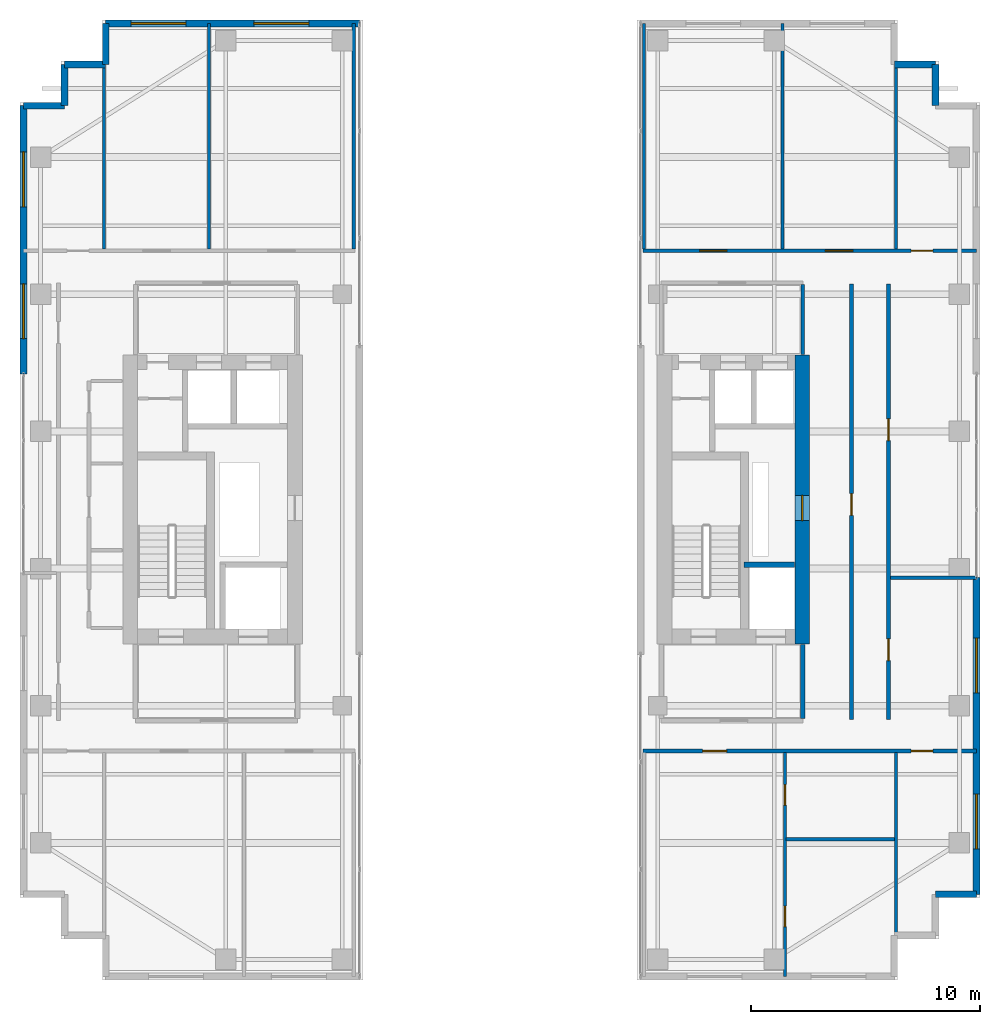
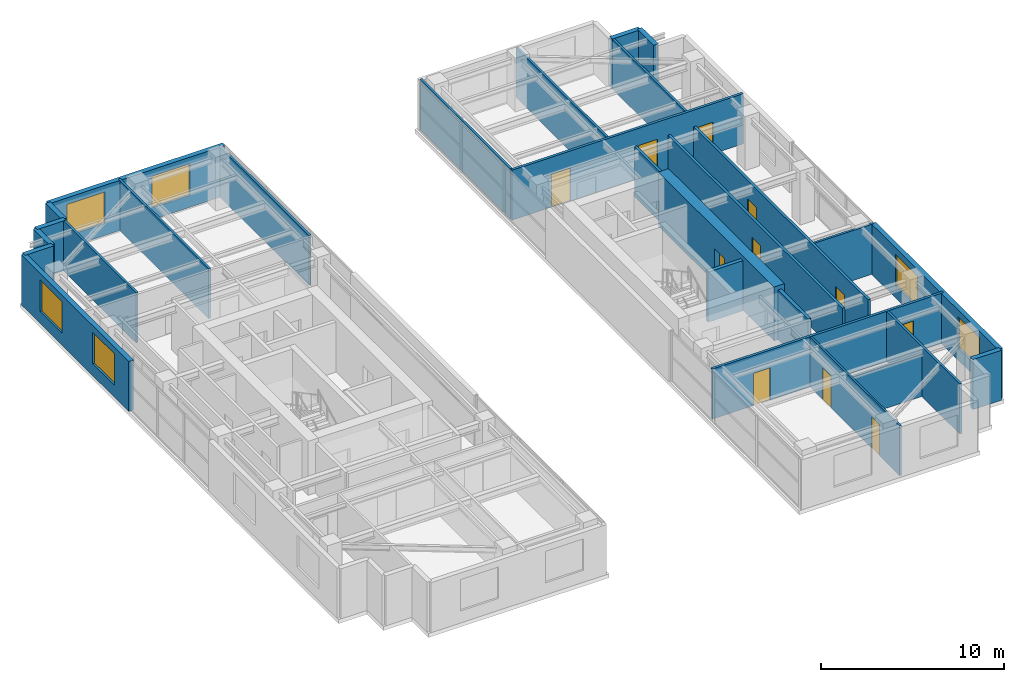
# One storey, part 18 of 21: 28 walls, 11 doors, 6 windows, 17 openings.
"""IFC4 building model written with IfcOpenShell, lengths in metres."""

from ifc_helpers import new_model, si_unit, direction, frame, frame_2d, origin, place, context, subcontext, project, spatial, rectangle, extrude, source, transform, mapped, material, layer, layer_set, type_object, element, fill, save


model = new_model("IFC4")

# Units and contexts
model_context = context("Model", 3, precision=1e-05, world=origin(), true_north=direction((0.0, 1.0)))
body_context = subcontext(model_context, "Body", "Model", "MODEL_VIEW")
ifc_project = project(units=[si_unit("LENGTHUNIT", "METRE"), si_unit("AREAUNIT", "SQUARE_METRE"), si_unit("VOLUMEUNIT", "CUBIC_METRE"), si_unit("PLANEANGLEUNIT", "RADIAN"), si_unit("MASSUNIT", "GRAM", prefix="KILO")], contexts=[model_context])

# Site, building, storey
site_placement = place(None, origin())
site = spatial("IfcSite", under=ifc_project, at=site_placement, CompositionType="ELEMENT")
building_placement = place(site_placement, origin())
building = spatial("IfcBuilding", under=site, at=building_placement, Name="Khoralis Quay Care Tower", CompositionType="ELEMENT")
storey_placement = place(building_placement, frame((0.0, 0.0, 206.10009765625)))
storey = spatial("IfcBuildingStorey", under=building, at=storey_placement, Name="L54", CompositionType="ELEMENT", Elevation=206.10009765625)

# Wall
ifc_material_1 = material(Name="Gypsum plasterboard on acoustic metal stud")
ifc_layer_1 = layer(ifc_material_1, 0.199951171875)
ifc_layer_set_1 = layer_set([ifc_layer_1], Name="Gypsum plasterboard on acoustic metal stud")
wall_type_1 = type_object("IfcWallType", Name="WL-COMP-200", PredefinedType="PARTITIONING", material=ifc_layer_set_1)
wall_1_placement = place(storey_placement, frame((37.25, 11.445068359375, 0.0), z_axis=(0.0, 0.0, 1.0), x_axis=(0.0, 1.0, 0.0)))
element("IfcWall", 1, at=wall_1_placement, inside=storey, type_object=wall_type_1, Name="L54 East Firefighting Lobby East Wall", PredefinedType="PARTITIONING", context=body_context, shape_type="SweptSolid", body=[
    extrude(rectangle(XDim=3.23486328125, YDim=0.199951171875, at=frame_2d((1.617431640625, 0.0))), origin(), (0.0, 0.0, 1.0), 3.33984375),
])

# Wall, opening, door
ifc_material_2 = material(Name="Concrete C65/80", Category="concrete")
ifc_layer_2 = layer(ifc_material_2, 0.64990234375)
ifc_layer_set_2 = layer_set([ifc_layer_2], Name="Concrete C65/80")
wall_type_2 = type_object("IfcWallType", Name="WL-CORE-650", PredefinedType="SHEAR", material=ifc_layer_set_2)
wall_2_placement = place(storey_placement, frame((37.22509765625, 14.699951171875, 0.0), z_axis=(0.0, 0.0, 1.0), x_axis=(0.0, 1.0, 0.0)))
wall_2 = element("IfcWall", 2, at=wall_2_placement, inside=storey, type_object=wall_type_2, Name="L54 ECORE East Shear Wall", PredefinedType="SHEAR", context=body_context, shape_type="SweptSolid", body=[
    extrude(rectangle(XDim=12.650146484375, YDim=0.64990234375, at=frame_2d((6.3251953125, 0.0))), origin(), (0.0, 0.0, 1.0), 3.599853515625),
])
opening_1_placement = place(wall_2_placement, frame((5.39990234375, 0.0, 0.0)))
opening_1 = element("IfcOpeningElement", 3, at=opening_1_placement, cuts=wall_2, Name="Opening SD1", PredefinedType="OPENING", context=body_context, shape_type="SweptSolid", body=[
    extrude(rectangle(XDim=1.10009765625, YDim=2.199951171875, at=frame_2d((0.550048828125, 1.10009765625))), frame((0.0, 0.3349609375, 0.0), z_axis=(0.0, -1.0, 0.0), x_axis=(1.0, 0.0, 0.0)), (0.0, 0.0, 1.0), 0.669921875),
])
ifc_material_3 = material(Name="Fire-rated painted steel", Category="steel")
door_type_1 = type_object("IfcDoorType", Name="DR-STAIR-1100X2200", OperationType="NOTDEFINED", PredefinedType="DOOR", material=ifc_material_3)
shared_shape_1 = source(origin(), body_context, "Body", "SweptSolid", [
    extrude(rectangle(XDim=1.10009765625, YDim=2.199951171875, at=frame_2d((0.550048828125, 1.10009765625))), frame((0.0, 0.02490234375, 0.0), z_axis=(0.0, -1.0, 0.0), x_axis=(1.0, 0.0, 0.0)), (0.0, 0.0, 1.0), 0.050048828125),
])
door_1_placement = place(opening_1_placement, frame((1.10009765625, 0.0, 0.0), z_axis=(0.0, 0.0, 1.0), x_axis=(-1.0, 0.0, 0.0)))
door_1 = element("IfcDoor", 4, at=door_1_placement, inside=storey, type_object=door_type_1, Name="L54 East MEP Riser Door", OperationType="SINGLE_SWING_LEFT", OverallHeight=2.199951171875, OverallWidth=1.10009765625, PredefinedType="DOOR", context=body_context, shape_type="MappedRepresentation", body=[
    mapped(shared_shape_1, transform((0.0, 0.0, 0.0), scale=1.0)),
])
fill(opening_1, door_1)

# Wall
ifc_layer_3 = layer(ifc_material_1, 0.1650390625)
ifc_layer_set_3 = layer_set([ifc_layer_3], Name="Gypsum plasterboard on acoustic metal stud")
wall_type_3 = type_object("IfcWallType", Name="WL-CORR-165", PredefinedType="PARTITIONING", material=ifc_layer_set_3)
wall_3_placement = place(storey_placement, frame((37.25, 27.3701171875, 0.0), z_axis=(0.0, 0.0, 1.0), x_axis=(0.0, 1.0, 0.0)))
element("IfcWall", 5, at=wall_3_placement, inside=storey, type_object=wall_type_3, Name="L54 East Lift Lobby East Wall", PredefinedType="PARTITIONING", context=body_context, shape_type="SweptSolid", body=[
    extrude(rectangle(XDim=3.052490234375, YDim=0.1650390625, at=frame_2d((1.5263671875, 0.0))), origin(), (0.0, 0.0, 1.0), 3.33984375),
])

# Wall, openings, doors
wall_4_placement = place(storey_placement, frame((30.25, 10.02001953125, 0.0), z_axis=(0.0, 0.0, 1.0), x_axis=(1.0, 0.0, 0.0)))
wall_4 = element("IfcWall", 6, at=wall_4_placement, inside=storey, type_object=wall_type_3, Name="L54 East Wing South Corridor Wall", PredefinedType="PARTITIONING", context=body_context, shape_type="SweptSolid", body=[
    extrude(rectangle(XDim=14.60498046875, YDim=0.1650390625, at=frame_2d((7.302490234375, 0.0))), origin(), (0.0, 0.0, 1.0), 3.33984375),
])
opening_2_placement = place(wall_4_placement, frame((2.610595703125, 0.0, 0.0)))
opening_2 = element("IfcOpeningElement", 7, at=opening_2_placement, cuts=wall_4, Name="Opening UD1", PredefinedType="OPENING", context=body_context, shape_type="SweptSolid", body=[
    extrude(rectangle(XDim=1.050048828125, YDim=2.14990234375, at=frame_2d((0.52490234375, 1.074951171875))), frame((0.0, 0.092529296875, 0.0), z_axis=(0.0, -1.0, 0.0), x_axis=(1.0, 0.0, 0.0)), (0.0, 0.0, 1.0), 0.18505859375),
])
opening_3_placement = place(wall_4_placement, frame((11.735107421875, 0.0, 0.0)))
opening_3 = element("IfcOpeningElement", 8, at=opening_3_placement, cuts=wall_4, Name="Opening ID1", PredefinedType="OPENING", context=body_context, shape_type="SweptSolid", body=[
    extrude(rectangle(XDim=0.949951171875, YDim=2.10009765625, at=frame_2d((0.47509765625, 1.050048828125))), frame((0.0, 0.092529296875, 0.0), z_axis=(0.0, -1.0, 0.0), x_axis=(1.0, 0.0, 0.0)), (0.0, 0.0, 1.0), 0.18505859375),
])
ifc_material_4 = material(Name="Acoustic hardwood timber", Category="wood")
door_type_2 = type_object("IfcDoorType", Name="DR-ROOM-950X2100", OperationType="NOTDEFINED", PredefinedType="DOOR", material=ifc_material_4)
shared_shape_2 = source(origin(), body_context, "Body", "SweptSolid", [
    extrude(rectangle(XDim=0.949951171875, YDim=2.10009765625, at=frame_2d((0.47509765625, 1.050048828125))), frame((0.0, 0.02490234375, 0.0), z_axis=(0.0, -1.0, 0.0), x_axis=(1.0, 0.0, 0.0)), (0.0, 0.0, 1.0), 0.050048828125),
])
door_2_placement = place(opening_3_placement, frame((0.949951171875, 0.0, 0.0), z_axis=(0.0, 0.0, 1.0), x_axis=(-1.0, 0.0, 0.0)))
door_2 = element("IfcDoor", 9, at=door_2_placement, inside=storey, type_object=door_type_2, Name="L54 SE Corner Door", OperationType="SINGLE_SWING_RIGHT", OverallHeight=2.10009765625, OverallWidth=0.949951171875, PredefinedType="DOOR", context=body_context, shape_type="MappedRepresentation", body=[
    mapped(shared_shape_2, transform((0.0, 0.0, 0.0), scale=1.0)),
])
fill(opening_3, door_2)
door_type_3 = type_object("IfcDoorType", Name="DR-SUITE-1050X2150", OperationType="NOTDEFINED", PredefinedType="DOOR", material=ifc_material_4)
shared_shape_3 = source(origin(), body_context, "Body", "SweptSolid", [
    extrude(rectangle(XDim=1.050048828125, YDim=2.14990234375, at=frame_2d((0.52490234375, 1.074951171875))), frame((0.0, 0.02490234375, 0.0), z_axis=(0.0, -1.0, 0.0), x_axis=(1.0, 0.0, 0.0)), (0.0, 0.0, 1.0), 0.050048828125),
])
door_3_placement = place(opening_2_placement, frame((1.050048828125, 0.0, 0.0), z_axis=(0.0, 0.0, 1.0), x_axis=(-1.0, 0.0, 0.0)))
door_3 = element("IfcDoor", 10, at=door_3_placement, inside=storey, type_object=door_type_3, Name="L54 Studio ES0 Entrance", OperationType="SINGLE_SWING_LEFT", OverallHeight=2.14990234375, OverallWidth=1.050048828125, PredefinedType="DOOR", context=body_context, shape_type="MappedRepresentation", body=[
    mapped(shared_shape_3, transform((0.0, 0.0, 0.0), scale=1.0)),
])
fill(opening_2, door_3)

wall_5_placement = place(storey_placement, frame((30.25, 31.89990234375, 0.0), z_axis=(0.0, 0.0, 1.0), x_axis=(1.0, 0.0, 0.0)))
wall_5 = element("IfcWall", 11, at=wall_5_placement, inside=storey, type_object=wall_type_3, Name="L54 East Wing North Corridor Wall", PredefinedType="PARTITIONING", context=body_context, shape_type="SweptSolid", body=[
    extrude(rectangle(XDim=14.60498046875, YDim=0.1650390625, at=frame_2d((7.302490234375, 0.0))), origin(), (0.0, 0.0, 1.0), 3.33984375),
])
opening_4_placement = place(wall_5_placement, frame((2.47998046875, 0.0, 0.0)))
opening_4 = element("IfcOpeningElement", 12, at=opening_4_placement, cuts=wall_5, Name="Opening FD1", PredefinedType="OPENING", context=body_context, shape_type="SweptSolid", body=[
    extrude(rectangle(XDim=1.199951171875, YDim=2.199951171875, at=frame_2d((0.60009765625, 1.10009765625))), frame((0.0, 0.092529296875, 0.0), z_axis=(0.0, -1.0, 0.0), x_axis=(1.0, 0.0, 0.0)), (0.0, 0.0, 1.0), 0.18505859375),
])
opening_5_placement = place(wall_5_placement, frame((7.989990234375, 0.0, 0.0)))
opening_5 = element("IfcOpeningElement", 13, at=opening_5_placement, cuts=wall_5, Name="Opening FD1", PredefinedType="OPENING", context=body_context, shape_type="SweptSolid", body=[
    extrude(rectangle(XDim=1.199951171875, YDim=2.199951171875, at=frame_2d((0.60009765625, 1.10009765625))), frame((0.0, 0.092529296875, 0.0), z_axis=(0.0, -1.0, 0.0), x_axis=(1.0, 0.0, 0.0)), (0.0, 0.0, 1.0), 0.18505859375),
])
opening_6_placement = place(wall_5_placement, frame((11.735107421875, 0.0, 0.0)))
opening_6 = element("IfcOpeningElement", 14, at=opening_6_placement, cuts=wall_5, Name="Opening ID1", PredefinedType="OPENING", context=body_context, shape_type="SweptSolid", body=[
    extrude(rectangle(XDim=0.949951171875, YDim=2.10009765625, at=frame_2d((0.47509765625, 1.050048828125))), frame((0.0, 0.092529296875, 0.0), z_axis=(0.0, -1.0, 0.0), x_axis=(1.0, 0.0, 0.0)), (0.0, 0.0, 1.0), 0.18505859375),
])
door_type_4 = type_object("IfcDoorType", Name="DR-FFL-1200X2200", OperationType="NOTDEFINED", PredefinedType="DOOR", material=ifc_material_3)
shared_shape_4 = source(origin(), body_context, "Body", "SweptSolid", [
    extrude(rectangle(XDim=1.199951171875, YDim=2.199951171875, at=frame_2d((0.60009765625, 1.10009765625))), frame((0.0, 0.02490234375, 0.0), z_axis=(0.0, -1.0, 0.0), x_axis=(1.0, 0.0, 0.0)), (0.0, 0.0, 1.0), 0.050048828125),
])
door_4_placement = place(opening_4_placement, origin())
door_4 = element("IfcDoor", 15, at=door_4_placement, inside=storey, type_object=door_type_4, Name="L54 Resident Communal Day Lounge Door", OperationType="DOUBLE_DOOR_SINGLE_SWING", OverallHeight=2.199951171875, OverallWidth=1.199951171875, PredefinedType="DOOR", context=body_context, shape_type="MappedRepresentation", body=[
    mapped(shared_shape_4, transform((0.0, 0.0, 0.0), scale=1.0)),
])
fill(opening_4, door_4)
door_5_placement = place(opening_5_placement, origin())
door_5 = element("IfcDoor", 16, at=door_5_placement, inside=storey, type_object=door_type_4, Name="L54 Resident Communal Day Lounge Door", OperationType="DOUBLE_DOOR_SINGLE_SWING", OverallHeight=2.199951171875, OverallWidth=1.199951171875, PredefinedType="DOOR", context=body_context, shape_type="MappedRepresentation", body=[
    mapped(shared_shape_4, transform((0.0, 0.0, 0.0), scale=1.0)),
])
fill(opening_5, door_5)
door_6_placement = place(opening_6_placement, origin())
door_6 = element("IfcDoor", 17, at=door_6_placement, inside=storey, type_object=door_type_2, Name="L54 NE Corner Door", OperationType="SINGLE_SWING_LEFT", OverallHeight=2.10009765625, OverallWidth=0.949951171875, PredefinedType="DOOR", context=body_context, shape_type="MappedRepresentation", body=[
    mapped(shared_shape_2, transform((0.0, 0.0, 0.0), scale=1.0)),
])
fill(opening_6, door_6)

wall_6_placement = place(storey_placement, frame((41.0, 11.39990234375, 0.0), z_axis=(0.0, 0.0, 1.0), x_axis=(0.0, 1.0, 0.0)))
wall_6 = element("IfcWall", 18, at=wall_6_placement, inside=storey, type_object=wall_type_3, Name="L54 East Gallery Wall", PredefinedType="PARTITIONING", context=body_context, shape_type="SweptSolid", body=[
    extrude(rectangle(XDim=19.050048828125, YDim=0.1650390625, at=frame_2d((9.52490234375, 0.0))), origin(), (0.0, 0.0, 1.0), 3.33984375),
])
opening_7_placement = place(wall_6_placement, frame((2.574951171875, 0.0, 0.0)))
opening_7 = element("IfcOpeningElement", 19, at=opening_7_placement, cuts=wall_6, Name="Opening ID1", PredefinedType="OPENING", context=body_context, shape_type="SweptSolid", body=[
    extrude(rectangle(XDim=0.949951171875, YDim=2.10009765625, at=frame_2d((0.47509765625, 1.050048828125))), frame((0.0, 0.092529296875, 0.0), z_axis=(0.0, -1.0, 0.0), x_axis=(1.0, 0.0, 0.0)), (0.0, 0.0, 1.0), 0.18505859375),
])
opening_8_placement = place(wall_6_placement, frame((12.199951171875, 0.0, 0.0)))
opening_8 = element("IfcOpeningElement", 20, at=opening_8_placement, cuts=wall_6, Name="Opening ID1", PredefinedType="OPENING", context=body_context, shape_type="SweptSolid", body=[
    extrude(rectangle(XDim=0.949951171875, YDim=2.10009765625, at=frame_2d((0.47509765625, 1.050048828125))), frame((0.0, 0.092529296875, 0.0), z_axis=(0.0, -1.0, 0.0), x_axis=(1.0, 0.0, 0.0)), (0.0, 0.0, 1.0), 0.18505859375),
])
door_7_placement = place(opening_7_placement, origin())
door_7 = element("IfcDoor", 21, at=door_7_placement, inside=storey, type_object=door_type_2, Name="L54 East Waterfront Daylight Lounge Door", OperationType="SINGLE_SWING_LEFT", OverallHeight=2.10009765625, OverallWidth=0.949951171875, PredefinedType="DOOR", context=body_context, shape_type="MappedRepresentation", body=[
    mapped(shared_shape_2, transform((0.0, 0.0, 0.0), scale=1.0)),
])
fill(opening_7, door_7)
door_8_placement = place(opening_8_placement, origin())
door_8 = element("IfcDoor", 22, at=door_8_placement, inside=storey, type_object=door_type_2, Name="L54 East Bay Care Office Door", OperationType="SINGLE_SWING_RIGHT", OverallHeight=2.10009765625, OverallWidth=0.949951171875, PredefinedType="DOOR", context=body_context, shape_type="MappedRepresentation", body=[
    mapped(shared_shape_2, transform((0.0, 0.0, 0.0), scale=1.0)),
])
fill(opening_8, door_8)

# Wall, opening, door
wall_7_placement = place(storey_placement, frame((39.3798828125, 11.39990234375, 0.0), z_axis=(0.0, 0.0, 1.0), x_axis=(0.0, 1.0, 0.0)))
wall_7 = element("IfcWall", 23, at=wall_7_placement, inside=storey, type_object=wall_type_3, Name="L54 East Inner Clinic Wall", PredefinedType="PARTITIONING", context=body_context, shape_type="SweptSolid", body=[
    extrude(rectangle(XDim=19.050048828125, YDim=0.1650390625, at=frame_2d((9.52490234375, 0.0))), origin(), (0.0, 0.0, 1.0), 3.33984375),
])
opening_9_placement = place(wall_7_placement, frame((8.925048828125, 0.0, 0.0)))
opening_9 = element("IfcOpeningElement", 24, at=opening_9_placement, cuts=wall_7, Name="Opening ID1", PredefinedType="OPENING", context=body_context, shape_type="SweptSolid", body=[
    extrude(rectangle(XDim=0.949951171875, YDim=2.10009765625, at=frame_2d((0.47509765625, 1.050048828125))), frame((0.0, 0.092529296875, 0.0), z_axis=(0.0, -1.0, 0.0), x_axis=(1.0, 0.0, 0.0)), (0.0, 0.0, 1.0), 0.18505859375),
])
door_9_placement = place(opening_9_placement, frame((0.949951171875, 0.0, 0.0), z_axis=(0.0, 0.0, 1.0), x_axis=(-1.0, 0.0, 0.0)))
door_9 = element("IfcDoor", 25, at=door_9_placement, inside=storey, type_object=door_type_2, Name="L54 East Rehab Therapy Door", OperationType="SINGLE_SWING_LEFT", OverallHeight=2.10009765625, OverallWidth=0.949951171875, PredefinedType="DOOR", context=body_context, shape_type="MappedRepresentation", body=[
    mapped(shared_shape_2, transform((0.0, 0.0, 0.0), scale=1.0)),
])
fill(opening_9, door_9)

# Wall, openings, windows
ifc_material_5 = material(Name="Precast concrete C45/55", Category="concrete")
ifc_layer_4 = layer(ifc_material_5, 0.300048828125)
ifc_layer_set_4 = layer_set([ifc_layer_4], Name="Precast concrete C45/55")
wall_type_4 = type_object("IfcWallType", Name="WL-EXT-REF-300", PredefinedType="SOLIDWALL", material=ifc_layer_set_4)
wall_8_placement = place(storey_placement, frame((17.85009765625, 41.85009765625, 0.0), z_axis=(0.0, 0.0, 1.0), x_axis=(-1.0, 0.0, 0.0)))
wall_8 = element("IfcWall", 26, at=wall_8_placement, inside=storey, type_object=wall_type_4, Name="L54 External Facade Wall WL-EXT-L54-P1-E2", PredefinedType="SOLIDWALL", context=body_context, shape_type="SweptSolid", body=[
    extrude(rectangle(XDim=11.10009765625, YDim=0.300048828125, at=frame_2d((5.550048828125, 0.0))), origin(), (0.0, 0.0, 1.0), 3.33984375),
])
opening_10_placement = place(wall_8_placement, frame((2.215087890625, 0.0, 0.800048828125)))
opening_10 = element("IfcOpeningElement", 27, at=opening_10_placement, cuts=wall_8, Name="Opening W1", PredefinedType="OPENING", context=body_context, shape_type="SweptSolid", body=[
    extrude(rectangle(XDim=2.39990234375, YDim=2.10009765625, at=frame_2d((1.199951171875, 1.050048828125))), frame((0.0, 0.16015625, 0.0), z_axis=(0.0, -1.0, 0.0), x_axis=(1.0, 0.0, 0.0)), (0.0, 0.0, 1.0), 0.320068359375),
])
opening_11_placement = place(wall_8_placement, frame((7.590087890625, 0.0, 0.800048828125)))
opening_11 = element("IfcOpeningElement", 28, at=opening_11_placement, cuts=wall_8, Name="Opening W1", PredefinedType="OPENING", context=body_context, shape_type="SweptSolid", body=[
    extrude(rectangle(XDim=2.39990234375, YDim=2.10009765625, at=frame_2d((1.199951171875, 1.050048828125))), frame((0.0, 0.16015625, 0.0), z_axis=(0.0, -1.0, 0.0), x_axis=(1.0, 0.0, 0.0)), (0.0, 0.0, 1.0), 0.320068359375),
])
ifc_material_6 = material(Name="Low-E solar-control double glazing", Category="glass")
window_type = type_object("IfcWindowType", Name="WN-POD-2400X2100", PartitioningType="SINGLE_PANEL", PredefinedType="WINDOW", material=ifc_material_6)
shared_shape_5 = source(origin(), body_context, "Body", "SweptSolid", [
    extrude(rectangle(XDim=2.39990234375, YDim=2.10009765625, at=frame_2d((1.199951171875, 1.050048828125))), frame((0.0, 0.030029296875, 0.0), z_axis=(0.0, -1.0, 0.0), x_axis=(1.0, 0.0, 0.0)), (0.0, 0.0, 1.0), 0.06005859375),
])
window_1_placement = place(opening_10_placement, origin())
window_1 = element("IfcWindow", 29, at=window_1_placement, inside=storey, type_object=window_type, Name="WN-L54-P1-E2 Facade Window 01", OverallHeight=2.10009765625, OverallWidth=2.39990234375, PartitioningType="SINGLE_PANEL", PredefinedType="WINDOW", context=body_context, shape_type="MappedRepresentation", body=[
    mapped(shared_shape_5, transform((0.0, 0.0, 0.0), scale=1.0)),
])
fill(opening_10, window_1)
window_2_placement = place(opening_11_placement, origin())
window_2 = element("IfcWindow", 30, at=window_2_placement, inside=storey, type_object=window_type, Name="WN-L54-P1-E2 Facade Window 02", OverallHeight=2.10009765625, OverallWidth=2.39990234375, PartitioningType="SINGLE_PANEL", PredefinedType="WINDOW", context=body_context, shape_type="MappedRepresentation", body=[
    mapped(shared_shape_5, transform((0.0, 0.0, 0.0), scale=1.0)),
])
fill(opening_11, window_2)

# Walls
for number, where, z_axis, x_axis, name in (
    (31, (6.75, 41.85009765625, 0.0), (0.0, 0.0, 1.0), (0.0, -1.0, 0.0), "L54 External Facade Wall WL-EXT-L54-P1-C3"),
    (32, (6.75, 40.050048828125, 0.0), (0.0, 0.0, 1.0), (-1.0, 0.0, 0.0), "L54 External Facade Wall WL-EXT-L54-P1-C4"),
    (33, (4.949951171875, 40.050048828125, 0.0), (0.0, 0.0, 1.0), (0.0, -1.0, 0.0), "L54 External Facade Wall WL-EXT-L54-P1-C5"),
    (34, (4.949951171875, 38.25, 0.0), (0.0, 0.0, 1.0), (-1.0, 0.0, 0.0), "L54 External Facade Wall WL-EXT-L54-P1-C6"),
):
    element("IfcWall", number, at=place(storey_placement, frame(where, z_axis=z_axis, x_axis=x_axis)), inside=storey, type_object=wall_type_4, Name=name, PredefinedType="SOLIDWALL", context=body_context, shape_type="SweptSolid", body=[
        extrude(rectangle(XDim=1.800048828125, YDim=0.300048828125, at=frame_2d((0.89990234375, 0.0))), origin(), (0.0, 0.0, 1.0), 3.33984375),
    ])

# Wall, openings, windows
wall_9_placement = place(storey_placement, frame((3.14990234375, 38.25, 0.0), z_axis=(0.0, 0.0, 1.0), x_axis=(0.0, -1.0, 0.0)))
wall_9 = element("IfcWall", 35, at=wall_9_placement, inside=storey, type_object=wall_type_4, Name="L54 External Facade Wall WL-EXT-L54-P1-E7A", PredefinedType="SOLIDWALL", context=body_context, shape_type="SweptSolid", body=[
    extrude(rectangle(XDim=11.72998046875, YDim=0.300048828125, at=frame_2d((5.864990234375, 0.0))), origin(), (0.0, 0.0, 1.0), 3.33984375),
])
opening_12_placement = place(wall_9_placement, frame((2.02490234375, 0.0, 0.800048828125)))
opening_12 = element("IfcOpeningElement", 36, at=opening_12_placement, cuts=wall_9, Name="Opening W1", PredefinedType="OPENING", context=body_context, shape_type="SweptSolid", body=[
    extrude(rectangle(XDim=2.39990234375, YDim=2.10009765625, at=frame_2d((1.199951171875, 1.050048828125))), frame((0.0, 0.16015625, 0.0), z_axis=(0.0, -1.0, 0.0), x_axis=(1.0, 0.0, 0.0)), (0.0, 0.0, 1.0), 0.320068359375),
])
opening_13_placement = place(wall_9_placement, frame((7.7900390625, 0.0, 0.800048828125)))
opening_13 = element("IfcOpeningElement", 37, at=opening_13_placement, cuts=wall_9, Name="Opening W1", PredefinedType="OPENING", context=body_context, shape_type="SweptSolid", body=[
    extrude(rectangle(XDim=2.39990234375, YDim=2.10009765625, at=frame_2d((1.199951171875, 1.050048828125))), frame((0.0, 0.16015625, 0.0), z_axis=(0.0, -1.0, 0.0), x_axis=(1.0, 0.0, 0.0)), (0.0, 0.0, 1.0), 0.320068359375),
])
window_3_placement = place(opening_12_placement, origin())
window_3 = element("IfcWindow", 38, at=window_3_placement, inside=storey, type_object=window_type, Name="WN-L54-P1-E7A Facade Window 01", OverallHeight=2.10009765625, OverallWidth=2.39990234375, PartitioningType="SINGLE_PANEL", PredefinedType="WINDOW", context=body_context, shape_type="MappedRepresentation", body=[
    mapped(shared_shape_5, transform((0.0, 0.0, 0.0), scale=1.0)),
])
fill(opening_12, window_3)
window_4_placement = place(opening_13_placement, origin())
window_4 = element("IfcWindow", 39, at=window_4_placement, inside=storey, type_object=window_type, Name="WN-L54-P1-E7A Facade Window 02", OverallHeight=2.10009765625, OverallWidth=2.39990234375, PartitioningType="SINGLE_PANEL", PredefinedType="WINDOW", context=body_context, shape_type="MappedRepresentation", body=[
    mapped(shared_shape_5, transform((0.0, 0.0, 0.0), scale=1.0)),
])
fill(opening_13, window_4)

# Wall
wall_10_placement = place(storey_placement, frame((43.050048828125, 3.75, 0.0), z_axis=(0.0, 0.0, 1.0), x_axis=(1.0, 0.0, 0.0)))
element("IfcWall", 40, at=wall_10_placement, inside=storey, type_object=wall_type_4, Name="L54 External Facade Wall WL-EXT-L54-P2-C4", PredefinedType="SOLIDWALL", context=body_context, shape_type="SweptSolid", body=[
    extrude(rectangle(XDim=1.800048828125, YDim=0.300048828125, at=frame_2d((0.89990234375, 0.0))), origin(), (0.0, 0.0, 1.0), 3.33984375),
])

# Wall, openings, windows
wall_11_placement = place(storey_placement, frame((44.85009765625, 3.75, 0.0), z_axis=(0.0, 0.0, 1.0), x_axis=(0.0, 1.0, 0.0)))
wall_11 = element("IfcWall", 41, at=wall_11_placement, inside=storey, type_object=wall_type_4, Name="L54 External Facade Wall WL-EXT-L54-P2-E5A", PredefinedType="SOLIDWALL", context=body_context, shape_type="SweptSolid", body=[
    extrude(rectangle(XDim=13.85009765625, YDim=0.300048828125, at=frame_2d((6.925048828125, 0.0))), origin(), (0.0, 0.0, 1.0), 3.33984375),
])
opening_14_placement = place(wall_11_placement, frame((1.985107421875, 0.0, 0.800048828125)))
opening_14 = element("IfcOpeningElement", 42, at=opening_14_placement, cuts=wall_11, Name="Opening W1", PredefinedType="OPENING", context=body_context, shape_type="SweptSolid", body=[
    extrude(rectangle(XDim=2.39990234375, YDim=2.10009765625, at=frame_2d((1.199951171875, 1.050048828125))), frame((0.0, 0.16015625, 0.0), z_axis=(0.0, -1.0, 0.0), x_axis=(1.0, 0.0, 0.0)), (0.0, 0.0, 1.0), 0.320068359375),
])
opening_15_placement = place(wall_11_placement, frame((8.81005859375, 0.0, 0.800048828125)))
opening_15 = element("IfcOpeningElement", 43, at=opening_15_placement, cuts=wall_11, Name="Opening W1", PredefinedType="OPENING", context=body_context, shape_type="SweptSolid", body=[
    extrude(rectangle(XDim=2.39990234375, YDim=2.10009765625, at=frame_2d((1.199951171875, 1.050048828125))), frame((0.0, 0.16015625, 0.0), z_axis=(0.0, -1.0, 0.0), x_axis=(1.0, 0.0, 0.0)), (0.0, 0.0, 1.0), 0.320068359375),
])
window_5_placement = place(opening_14_placement, origin())
window_5 = element("IfcWindow", 44, at=window_5_placement, inside=storey, type_object=window_type, Name="WN-L54-P2-E5A Facade Window 01", OverallHeight=2.10009765625, OverallWidth=2.39990234375, PartitioningType="SINGLE_PANEL", PredefinedType="WINDOW", context=body_context, shape_type="MappedRepresentation", body=[
    mapped(shared_shape_5, transform((0.0, 0.0, 0.0), scale=1.0)),
])
fill(opening_14, window_5)
window_6_placement = place(opening_15_placement, origin())
window_6 = element("IfcWindow", 45, at=window_6_placement, inside=storey, type_object=window_type, Name="WN-L54-P2-E5A Facade Window 02", OverallHeight=2.10009765625, OverallWidth=2.39990234375, PartitioningType="SINGLE_PANEL", PredefinedType="WINDOW", context=body_context, shape_type="MappedRepresentation", body=[
    mapped(shared_shape_5, transform((0.0, 0.0, 0.0), scale=1.0)),
])
fill(opening_15, window_6)

# Walls
for number, where, z_axis, x_axis, name in (
    (46, (43.050048828125, 38.25, 0.0), (0.0, 0.0, 1.0), (0.0, 1.0, 0.0), "L54 External Facade Wall WL-EXT-L54-P2-C7"),
    (47, (43.050048828125, 40.050048828125, 0.0), (0.0, 0.0, 1.0), (-1.0, 0.0, 0.0), "L54 External Facade Wall WL-EXT-L54-P2-C8"),
):
    element("IfcWall", number, at=place(storey_placement, frame(where, z_axis=z_axis, x_axis=x_axis)), inside=storey, type_object=wall_type_4, Name=name, PredefinedType="SOLIDWALL", context=body_context, shape_type="SweptSolid", body=[
        extrude(rectangle(XDim=1.800048828125, YDim=0.300048828125, at=frame_2d((0.89990234375, 0.0))), origin(), (0.0, 0.0, 1.0), 3.33984375),
    ])

# Wall, openings, doors
ifc_layer_5 = layer(ifc_material_1, 0.114990234375)
ifc_layer_set_5 = layer_set([ifc_layer_5], Name="Gypsum plasterboard on acoustic metal stud")
wall_type_5 = type_object("IfcWallType", Name="WL-PART-115", PredefinedType="PARTITIONING", material=ifc_layer_set_5)
wall_12_placement = place(storey_placement, frame((36.470947265625, 0.14501953125, 0.0), z_axis=(0.0, 0.0, 1.0), x_axis=(0.0, 1.0, 0.0)))
wall_12 = element("IfcWall", 48, at=wall_12_placement, inside=storey, type_object=wall_type_5, Name="L54 Studio 0 Internal Wall", PredefinedType="PARTITIONING", context=body_context, shape_type="SweptSolid", body=[
    extrude(rectangle(XDim=9.79736328125, YDim=0.114990234375, at=frame_2d((4.898681640625, 0.0))), origin(), (0.0, 0.0, 1.0), 3.33984375),
])
opening_16_placement = place(wall_12_placement, frame((2.18505859375, 0.0, 0.0)))
opening_16 = element("IfcOpeningElement", 49, at=opening_16_placement, cuts=wall_12, Name="Opening WD1", PredefinedType="OPENING", context=body_context, shape_type="SweptSolid", body=[
    extrude(rectangle(XDim=0.89990234375, YDim=2.10009765625, at=frame_2d((0.449951171875, 1.050048828125))), frame((0.0, 0.0673828125, 0.0), z_axis=(0.0, -1.0, 0.0), x_axis=(1.0, 0.0, 0.0)), (0.0, 0.0, 1.0), 0.135009765625),
])
opening_17_placement = place(wall_12_placement, frame((7.5048828125, 0.0, 0.0)))
opening_17 = element("IfcOpeningElement", 50, at=opening_17_placement, cuts=wall_12, Name="Opening WD1", PredefinedType="OPENING", context=body_context, shape_type="SweptSolid", body=[
    extrude(rectangle(XDim=0.89990234375, YDim=2.10009765625, at=frame_2d((0.449951171875, 1.050048828125))), frame((0.0, 0.0673828125, 0.0), z_axis=(0.0, -1.0, 0.0), x_axis=(1.0, 0.0, 0.0)), (0.0, 0.0, 1.0), 0.135009765625),
])
door_type_5 = type_object("IfcDoorType", Name="DR-BATH-900X2100", OperationType="NOTDEFINED", PredefinedType="DOOR", material=ifc_material_4)
shared_shape_6 = source(origin(), body_context, "Body", "SweptSolid", [
    extrude(rectangle(XDim=0.89990234375, YDim=2.10009765625, at=frame_2d((0.449951171875, 1.050048828125))), frame((0.0, 0.02490234375, 0.0), z_axis=(0.0, -1.0, 0.0), x_axis=(1.0, 0.0, 0.0)), (0.0, 0.0, 1.0), 0.050048828125),
])
door_10_placement = place(opening_16_placement, frame((0.89990234375, 0.0, 0.0), z_axis=(0.0, 0.0, 1.0), x_axis=(-1.0, 0.0, 0.0)))
door_10 = element("IfcDoor", 51, at=door_10_placement, inside=storey, type_object=door_type_5, Name="L54 Studio SKT Door", OperationType="SINGLE_SWING_RIGHT", OverallHeight=2.10009765625, OverallWidth=0.89990234375, PredefinedType="DOOR", context=body_context, shape_type="MappedRepresentation", body=[
    mapped(shared_shape_6, transform((0.0, 0.0, 0.0), scale=1.0)),
])
fill(opening_16, door_10)
door_11_placement = place(opening_17_placement, frame((0.89990234375, 0.0, 0.0), z_axis=(0.0, 0.0, 1.0), x_axis=(-1.0, 0.0, 0.0)))
door_11 = element("IfcDoor", 52, at=door_11_placement, inside=storey, type_object=door_type_5, Name="L54 Studio SBH Door", OperationType="SINGLE_SWING_LEFT", OverallHeight=2.10009765625, OverallWidth=0.89990234375, PredefinedType="DOOR", context=body_context, shape_type="MappedRepresentation", body=[
    mapped(shared_shape_6, transform((0.0, 0.0, 0.0), scale=1.0)),
])
fill(opening_17, door_11)

# Walls
ifc_material_7 = material(Name="Moisture-resistant gypsum and ceramic tile")
ifc_layer_6 = layer(ifc_material_7, 0.280029296875)
ifc_layer_set_6 = layer_set([ifc_layer_6], Name="Moisture-resistant gypsum and ceramic tile")
wall_type_6 = type_object("IfcWallType", Name="WL-PLUMB-280", PredefinedType="PLUMBINGWALL", material=ifc_layer_set_6)
wall_13_placement = place(storey_placement, frame((36.5234375, 6.159912109375, 0.0), z_axis=(0.0, 0.0, 1.0), x_axis=(1.0, 0.0, 0.0)))
element("IfcWall", 53, at=wall_13_placement, inside=storey, type_object=wall_type_6, Name="L54 Studio 0 Wet Split", PredefinedType="PLUMBINGWALL", context=body_context, shape_type="SweptSolid", body=[
    extrude(rectangle(XDim=4.7314453125, YDim=0.139892578125, at=frame_2d((2.36572265625, 0.0))), origin(), (0.0, 0.0, 1.0), 2.83984375),
])
ifc_layer_7 = layer(ifc_material_1, 0.239990234375)
ifc_layer_set_7 = layer_set([ifc_layer_7], Name="Gypsum plasterboard on acoustic metal stud")
wall_type_7 = type_object("IfcWallType", Name="WL-SHAFT-240", PredefinedType="PARTITIONING", material=ifc_layer_set_7)
wall_14_placement = place(storey_placement, frame((34.679931640625, 18.169921875, 0.0), z_axis=(0.0, 0.0, 1.0), x_axis=(1.0, 0.0, 0.0)))
element("IfcWall", 54, at=wall_14_placement, inside=storey, type_object=wall_type_7, Name="L54 FFL-2 Shaft Wall North", PredefinedType="PARTITIONING", context=body_context, shape_type="SweptSolid", body=[
    extrude(rectangle(XDim=2.199951171875, YDim=0.239990234375, at=frame_2d((1.10009765625, 0.0))), origin(), (0.0, 0.0, 1.0), 3.33984375),
])
ifc_layer_8 = layer(ifc_material_1, 0.139892578125)
ifc_layer_set_8 = layer_set([ifc_layer_8], Name="Gypsum plasterboard on acoustic metal stud")
wall_type_8 = type_object("IfcWallType", Name="WL-UNIT-140", PredefinedType="PARTITIONING", material=ifc_layer_set_8)
wall_15_placement = place(storey_placement, frame((41.077392578125, 17.60009765625, 0.0), z_axis=(0.0, 0.0, 1.0), x_axis=(1.0, 0.0, 0.0)))
element("IfcWall", 55, at=wall_15_placement, inside=storey, type_object=wall_type_8, Name="L54 East Mid Split", PredefinedType="PARTITIONING", context=body_context, shape_type="SweptSolid", body=[
    extrude(rectangle(XDim=3.777587890625, YDim=0.139892578125, at=frame_2d((1.888671875, 0.0))), origin(), (0.0, 0.0, 1.0), 3.33984375),
])
wall_16_placement = place(storey_placement, frame((6.679931640625, 31.9775390625, 0.0), z_axis=(0.0, 0.0, 1.0), x_axis=(0.0, 1.0, 0.0)))
element("IfcWall", 56, at=wall_16_placement, inside=storey, type_object=wall_type_8, Name="L54 WN Demising Wall 0", PredefinedType="PARTITIONING", context=body_context, shape_type="SweptSolid", body=[
    extrude(rectangle(XDim=8.077392578125, YDim=0.139892578125, at=frame_2d((4.03857421875, 0.0))), origin(), (0.0, 0.0, 1.0), 3.33984375),
])
for number, where, z_axis, x_axis, name in (
    (57, (11.27001953125, 31.9775390625, 0.0), (0.0, 0.0, 1.0), (0.0, 1.0, 0.0), "L54 WN Demising Wall 1"),
    (58, (17.60009765625, 31.9775390625, 0.0), (0.0, 0.0, 1.0), (0.0, 1.0, 0.0), "L54 WN Demising Wall 2"),
):
    element("IfcWall", number, at=place(storey_placement, frame(where, z_axis=z_axis, x_axis=x_axis)), inside=storey, type_object=wall_type_8, Name=name, PredefinedType="PARTITIONING", context=body_context, shape_type="SweptSolid", body=[
        extrude(rectangle(XDim=9.87744140625, YDim=0.139892578125, at=frame_2d((4.938720703125, 0.0))), origin(), (0.0, 0.0, 1.0), 3.33984375),
    ])
wall_17_placement = place(storey_placement, frame((41.320068359375, 1.945068359375, 0.0), z_axis=(0.0, 0.0, 1.0), x_axis=(0.0, 1.0, 0.0)))
element("IfcWall", 59, at=wall_17_placement, inside=storey, type_object=wall_type_8, Name="L54 ES Demising Wall 1", PredefinedType="PARTITIONING", context=body_context, shape_type="SweptSolid", body=[
    extrude(rectangle(XDim=7.997314453125, YDim=0.139892578125, at=frame_2d((3.99853515625, 0.0))), origin(), (0.0, 0.0, 1.0), 3.33984375),
])
for number, where, z_axis, x_axis, name in (
    (60, (30.300048828125, 31.9775390625, 0.0), (0.0, 0.0, 1.0), (0.0, 1.0, 0.0), "L54 EN Demising Wall 0"),
    (61, (36.360107421875, 31.9775390625, 0.0), (0.0, 0.0, 1.0), (0.0, 1.0, 0.0), "L54 EN Demising Wall 1"),
):
    element("IfcWall", number, at=place(storey_placement, frame(where, z_axis=z_axis, x_axis=x_axis)), inside=storey, type_object=wall_type_8, Name=name, PredefinedType="PARTITIONING", context=body_context, shape_type="SweptSolid", body=[
        extrude(rectangle(XDim=9.87744140625, YDim=0.139892578125, at=frame_2d((4.938720703125, 0.0))), origin(), (0.0, 0.0, 1.0), 3.33984375),
    ])
wall_18_placement = place(storey_placement, frame((41.320068359375, 31.9775390625, 0.0), z_axis=(0.0, 0.0, 1.0), x_axis=(0.0, 1.0, 0.0)))
element("IfcWall", 62, at=wall_18_placement, inside=storey, type_object=wall_type_8, Name="L54 EN Demising Wall 2", PredefinedType="PARTITIONING", context=body_context, shape_type="SweptSolid", body=[
    extrude(rectangle(XDim=8.077392578125, YDim=0.139892578125, at=frame_2d((4.03857421875, 0.0))), origin(), (0.0, 0.0, 1.0), 3.33984375),
])

save(model, "model.ifc")
